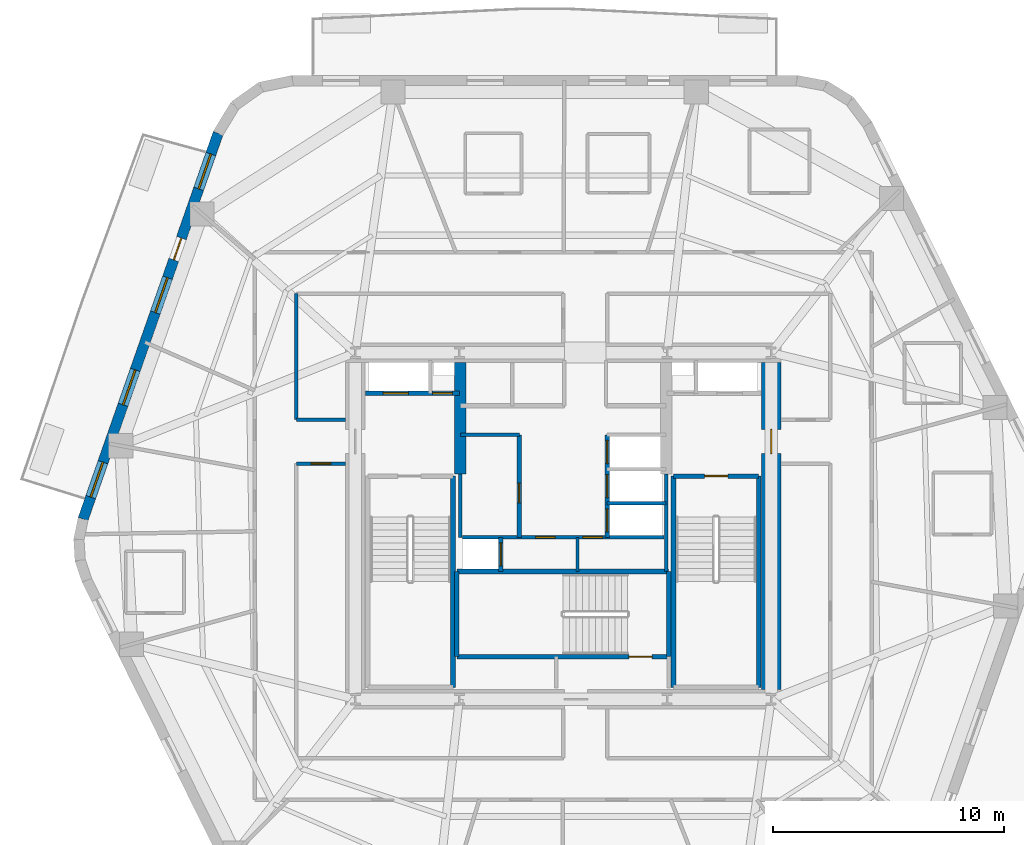
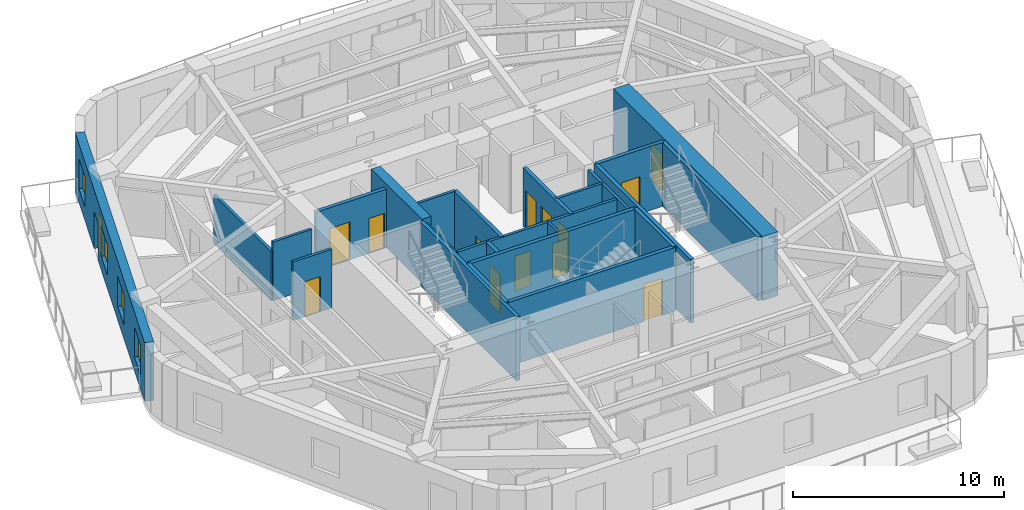
# One storey, part 4 of 11: 24 walls, 14 doors, 4 windows, 18 openings.
"""IFC4 building model written with IfcOpenShell, lengths in metres."""

from ifc_helpers import new_model, si_unit, direction, frame, frame_2d, origin, place, context, subcontext, project, spatial, rectangle, extrude, material, layer, layer_set, type_object, element, fill, save


model = new_model("IFC4")

# Units and contexts
model_context = context("Model", 3, precision=1e-05, world=origin(), true_north=direction((0.0, 1.0)))
body_context = subcontext(model_context, "Body", "Model", "MODEL_VIEW")
ifc_project = project(units=[si_unit("LENGTHUNIT", "METRE"), si_unit("AREAUNIT", "SQUARE_METRE"), si_unit("VOLUMEUNIT", "CUBIC_METRE"), si_unit("PLANEANGLEUNIT", "RADIAN"), si_unit("MASSUNIT", "GRAM", prefix="KILO")], contexts=[model_context])

# Site, building, storey
site_placement = place(None, origin())
site = spatial("IfcSite", under=ifc_project, at=site_placement, CompositionType="ELEMENT")
building_placement = place(site_placement, origin())
building = spatial("IfcBuilding", under=site, at=building_placement, Name="Kilnhurst Terrace Hotel", CompositionType="ELEMENT")
storey_placement = place(building_placement, frame((0.0, 0.0, 159.10009765625)))
storey = spatial("IfcBuildingStorey", under=building, at=storey_placement, Name="L39", CompositionType="ELEMENT", Elevation=159.10009765625)

# Wall, openings, door, windows
ifc_material_1 = material(Name="Precast concrete C40/50", Category="concrete")
ifc_layer_1 = layer(ifc_material_1, 0.449951171875, Name="Precast concrete C40/50")
ifc_layer_set_1 = layer_set([ifc_layer_1], Name="Precast concrete C40/50")
wall_type_1 = type_object("IfcWallType", Name="WL-BRK-450", PredefinedType="SOLIDWALL", material=ifc_layer_set_1)
wall_1_placement = place(storey_placement, frame((-14.936767578125, 16.993408203125, 0.0), z_axis=(0.0, 0.0, 1.0), x_axis=(-0.330431575061, -0.943829949834, 0.0)))
wall_1 = element("IfcWall", 1, at=wall_1_placement, inside=storey, type_object=wall_type_1, Name="L39 Exterior Brick Facade Wall F5", PredefinedType="SOLIDWALL", context=body_context, shape_type="SweptSolid", body=[
    extrude(rectangle(XDim=17.68896484375, YDim=0.449951171875, at=frame_2d((8.844482421875, 0.0))), origin(), (0.0, 0.0, 1.0), 3.39990234375),
])
opening_1_placement = place(wall_1_placement, frame((4.806884765625, 0.0, 0.0)))
opening_1 = element("IfcOpeningElement", 2, at=opening_1_placement, cuts=wall_1, Name="Opening BD-1000", PredefinedType="OPENING", context=body_context, shape_type="SweptSolid", body=[
    extrude(rectangle(XDim=1.0, YDim=2.14990234375, at=frame_2d((0.5, 1.074951171875))), frame((0.0, 0.23486328125, 0.0), z_axis=(0.0, -1.0, 0.0), x_axis=(1.0, 0.0, 0.0)), (0.0, 0.0, 1.0), 0.469970703125),
])
opening_2_placement = place(wall_1_placement, frame((0.949951171875, 0.0, 0.800048828125)))
opening_2 = element("IfcOpeningElement", 3, at=opening_2_placement, cuts=wall_1, Name="Opening W-05", PredefinedType="OPENING", context=body_context, shape_type="SweptSolid", body=[
    extrude(rectangle(XDim=1.60009765625, YDim=1.75, at=frame_2d((0.800048828125, 0.875))), frame((0.0, 0.23486328125, 0.0), z_axis=(0.0, -1.0, 0.0), x_axis=(1.0, 0.0, 0.0)), (0.0, 0.0, 1.0), 0.469970703125),
])
opening_3_placement = place(wall_1_placement, frame((6.623046875, 0.0, 0.800048828125)))
opening_3 = element("IfcOpeningElement", 4, at=opening_3_placement, cuts=wall_1, Name="Opening W-05", PredefinedType="OPENING", context=body_context, shape_type="SweptSolid", body=[
    extrude(rectangle(XDim=1.60009765625, YDim=1.75, at=frame_2d((0.800048828125, 0.875))), frame((0.0, 0.23486328125, 0.0), z_axis=(0.0, -1.0, 0.0), x_axis=(1.0, 0.0, 0.0)), (0.0, 0.0, 1.0), 0.469970703125),
])
opening_4_placement = place(wall_1_placement, frame((10.84912109375, 0.0, 0.800048828125)))
opening_4 = element("IfcOpeningElement", 5, at=opening_4_placement, cuts=wall_1, Name="Opening W-05", PredefinedType="OPENING", context=body_context, shape_type="SweptSolid", body=[
    extrude(rectangle(XDim=1.60009765625, YDim=1.75, at=frame_2d((0.800048828125, 0.875))), frame((0.0, 0.23486328125, 0.0), z_axis=(0.0, -1.0, 0.0), x_axis=(1.0, 0.0, 0.0)), (0.0, 0.0, 1.0), 0.469970703125),
])
opening_5_placement = place(wall_1_placement, frame((15.083984375, 0.0, 0.800048828125)))
opening_5 = element("IfcOpeningElement", 6, at=opening_5_placement, cuts=wall_1, Name="Opening W-05", PredefinedType="OPENING", context=body_context, shape_type="SweptSolid", body=[
    extrude(rectangle(XDim=1.60009765625, YDim=1.75, at=frame_2d((0.800048828125, 0.875))), frame((0.0, 0.23486328125, 0.0), z_axis=(0.0, -1.0, 0.0), x_axis=(1.0, 0.0, 0.0)), (0.0, 0.0, 1.0), 0.469970703125),
])
ifc_material_2 = material(Name="Thermally Broken Bronze Aluminium Alloy 6063-T6 and Laminated Glass", Category="aluminium")
door_type_1 = type_object("IfcDoorType", Name="DR-EXT-BAL-1000", OperationType="NOTDEFINED", PredefinedType="DOOR", material=ifc_material_2)
door_1_placement = place(opening_1_placement, origin())
door_1 = element("IfcDoor", 7, at=door_1_placement, inside=storey, type_object=door_type_1, Name="L39 Planted Balcony Door BAL-L2B", OperationType="SINGLE_SWING_LEFT", OverallHeight=2.14990234375, OverallWidth=1.0, PredefinedType="DOOR", context=body_context, shape_type="SweptSolid", body=[
    extrude(rectangle(XDim=1.0, YDim=2.14990234375, at=frame_2d((0.5, 1.074951171875))), frame((0.0, 0.02490234375, 0.0), z_axis=(0.0, -1.0, 0.0), x_axis=(1.0, 0.0, 0.0)), (0.0, 0.0, 1.0), 0.050048828125),
])
fill(opening_1, door_1)
ifc_material_3 = material(Name="Thermally Broken Bronze Aluminium Alloy 6063-T6 and Low-E Glass", Category="aluminium")
window_type = type_object("IfcWindowType", Name="WIN-1600X1750", PartitioningType="SINGLE_PANEL", PredefinedType="WINDOW", material=ifc_material_3)
window_1_placement = place(opening_2_placement, origin())
window_1 = element("IfcWindow", 8, at=window_1_placement, inside=storey, type_object=window_type, Name="L39 Deep-Set Masonry Window F5.1", OverallHeight=1.75, OverallWidth=1.60009765625, PartitioningType="SINGLE_PANEL", PredefinedType="WINDOW", context=body_context, shape_type="SweptSolid", body=[
    extrude(rectangle(XDim=1.60009765625, YDim=1.75, at=frame_2d((0.800048828125, 0.875))), frame((0.0, 0.030029296875, 0.0), z_axis=(0.0, -1.0, 0.0), x_axis=(1.0, 0.0, 0.0)), (0.0, 0.0, 1.0), 0.06005859375),
])
fill(opening_2, window_1)
window_2_placement = place(opening_3_placement, origin())
window_2 = element("IfcWindow", 9, at=window_2_placement, inside=storey, type_object=window_type, Name="L39 Deep-Set Masonry Window F5.2", OverallHeight=1.75, OverallWidth=1.60009765625, PartitioningType="SINGLE_PANEL", PredefinedType="WINDOW", context=body_context, shape_type="SweptSolid", body=[
    extrude(rectangle(XDim=1.60009765625, YDim=1.75, at=frame_2d((0.800048828125, 0.875))), frame((0.0, 0.030029296875, 0.0), z_axis=(0.0, -1.0, 0.0), x_axis=(1.0, 0.0, 0.0)), (0.0, 0.0, 1.0), 0.06005859375),
])
fill(opening_3, window_2)
window_3_placement = place(opening_4_placement, origin())
window_3 = element("IfcWindow", 10, at=window_3_placement, inside=storey, type_object=window_type, Name="L39 Deep-Set Masonry Window F5.3", OverallHeight=1.75, OverallWidth=1.60009765625, PartitioningType="SINGLE_PANEL", PredefinedType="WINDOW", context=body_context, shape_type="SweptSolid", body=[
    extrude(rectangle(XDim=1.60009765625, YDim=1.75, at=frame_2d((0.800048828125, 0.875))), frame((0.0, 0.030029296875, 0.0), z_axis=(0.0, -1.0, 0.0), x_axis=(1.0, 0.0, 0.0)), (0.0, 0.0, 1.0), 0.06005859375),
])
fill(opening_4, window_3)
window_4_placement = place(opening_5_placement, origin())
window_4 = element("IfcWindow", 11, at=window_4_placement, inside=storey, type_object=window_type, Name="L39 Deep-Set Masonry Window F5.4", OverallHeight=1.75, OverallWidth=1.60009765625, PartitioningType="SINGLE_PANEL", PredefinedType="WINDOW", context=body_context, shape_type="SweptSolid", body=[
    extrude(rectangle(XDim=1.60009765625, YDim=1.75, at=frame_2d((0.800048828125, 0.875))), frame((0.0, 0.030029296875, 0.0), z_axis=(0.0, -1.0, 0.0), x_axis=(1.0, 0.0, 0.0)), (0.0, 0.0, 1.0), 0.06005859375),
])
fill(opening_5, window_4)

# Walls
ifc_material_4 = material(Name="Acoustic Double-Gypsum Corridor Partition Assembly")
ifc_layer_2 = layer(ifc_material_4, 0.14990234375, Name="Acoustic Double-Gypsum Corridor Partition Assembly")
ifc_layer_set_2 = layer_set([ifc_layer_2], Name="Acoustic Double-Gypsum Corridor Partition Assembly")
wall_type_2 = type_object("IfcWallType", Name="WL-COR-150", PredefinedType="PARTITIONING", material=ifc_layer_set_2)
wall_2_placement = place(storey_placement, frame((-11.550048828125, 10.050048828125, 0.0), z_axis=(0.0, 0.0, 1.0), x_axis=(0.0, -1.0, 0.0)))
element("IfcWall", 12, at=wall_2_placement, inside=storey, type_object=wall_type_2, Name="L39 Interior Wall WL-L39-COR-13", PredefinedType="PARTITIONING", context=body_context, shape_type="SweptSolid", body=[
    extrude(rectangle(XDim=5.449951171875, YDim=0.14990234375, at=frame_2d((2.72509765625, 0.0))), origin(), (0.0, 0.0, 1.0), 2.83984375),
])
wall_3_placement = place(storey_placement, frame((-11.550048828125, 4.60009765625, 0.0), z_axis=(0.0, 0.0, 1.0), x_axis=(1.0, 0.0, 0.0)))
element("IfcWall", 13, at=wall_3_placement, inside=storey, type_object=wall_type_2, Name="L39 Interior Wall WL-L39-COR-14", PredefinedType="PARTITIONING", context=body_context, shape_type="SweptSolid", body=[
    extrude(rectangle(XDim=2.125, YDim=0.14990234375, at=frame_2d((1.0625, 0.0))), origin(), (0.0, 0.0, 1.0), 3.39990234375),
])

# Wall, opening, door
wall_4_placement = place(storey_placement, frame((-9.425048828125, 2.699951171875, 0.0), z_axis=(0.0, 0.0, 1.0), x_axis=(-1.0, 0.0, 0.0)))
wall_4 = element("IfcWall", 14, at=wall_4_placement, inside=storey, type_object=wall_type_2, Name="L39 Interior Wall WL-L39-COR-15", PredefinedType="PARTITIONING", context=body_context, shape_type="SweptSolid", body=[
    extrude(rectangle(XDim=2.125, YDim=0.14990234375, at=frame_2d((1.0625, 0.0))), origin(), (0.0, 0.0, 1.0), 3.39990234375),
])
opening_6_placement = place(wall_4_placement, frame((0.636962890625, 0.0, 0.0)))
opening_6 = element("IfcOpeningElement", 15, at=opening_6_placement, cuts=wall_4, Name="Opening D-60D", PredefinedType="OPENING", context=body_context, shape_type="SweptSolid", body=[
    extrude(rectangle(XDim=0.85009765625, YDim=2.030029296875, at=frame_2d((0.425048828125, 1.01513671875))), frame((0.0, 0.0849609375, 0.0), z_axis=(0.0, -1.0, 0.0), x_axis=(1.0, 0.0, 0.0)), (0.0, 0.0, 1.0), 0.169921875),
])
ifc_material_5 = material(Name="Painted Hollow Metal Steel ASTM A36 Riser Door", Category="steel")
door_type_2 = type_object("IfcDoorType", Name="DR-FD60-850", OperationType="NOTDEFINED", PredefinedType="DOOR", material=ifc_material_5)
door_2_placement = place(opening_6_placement, origin())
door_2 = element("IfcDoor", 16, at=door_2_placement, inside=storey, type_object=door_type_2, Name="L39 Floor Linen Storage Room Door", OperationType="SINGLE_SWING_LEFT", OverallHeight=2.030029296875, OverallWidth=0.85009765625, PredefinedType="DOOR", context=body_context, shape_type="SweptSolid", body=[
    extrude(rectangle(XDim=0.85009765625, YDim=2.030029296875, at=frame_2d((0.425048828125, 1.01513671875))), frame((0.0, 0.02490234375, 0.0), z_axis=(0.0, -1.0, 0.0), x_axis=(1.0, 0.0, 0.0)), (0.0, 0.0, 1.0), 0.050048828125),
])
fill(opening_6, door_2)

ifc_material_6 = material(Name="Concrete C80/95", Category="concrete")
ifc_layer_3 = layer(ifc_material_6, 0.85009765625, Name="Concrete C80/95")
ifc_layer_set_3 = layer_set([ifc_layer_3], Name="Concrete C80/95")
wall_type_3 = type_object("IfcWallType", Name="WL-CORE-850", PredefinedType="SHEAR", material=ifc_layer_set_3)
wall_5_placement = place(storey_placement, frame((9.0, -7.074951171875, 0.0), z_axis=(0.0, 0.0, 1.0), x_axis=(0.0, 1.0, 0.0)))
wall_5 = element("IfcWall", 17, at=wall_5_placement, inside=storey, type_object=wall_type_3, Name="L39 Core East Shear Wall", PredefinedType="SHEAR", context=body_context, shape_type="SweptSolid", body=[
    extrude(rectangle(XDim=14.14990234375, YDim=0.85009765625, at=frame_2d((7.074951171875, 0.0))), origin(), (0.0, 0.0, 1.0), 3.699951171875),
])
opening_7_placement = place(wall_5_placement, frame((10.199951171875, 0.0, 0.0)))
opening_7 = element("IfcOpeningElement", 18, at=opening_7_placement, cuts=wall_5, Name="Opening D-90A", PredefinedType="OPENING", context=body_context, shape_type="SweptSolid", body=[
    extrude(rectangle(XDim=1.050048828125, YDim=2.14990234375, at=frame_2d((0.52490234375, 1.074951171875))), frame((0.0, 0.43505859375, 0.0), z_axis=(0.0, -1.0, 0.0), x_axis=(1.0, 0.0, 0.0)), (0.0, 0.0, 1.0), 0.8701171875),
])
ifc_material_7 = material(Name="Painted Hollow Metal Steel ASTM A36 Fire Door", Category="steel")
door_type_3 = type_object("IfcDoorType", Name="DR-FD90-1050", OperationType="NOTDEFINED", PredefinedType="DOOR", material=ifc_material_7)
door_3_placement = place(opening_7_placement, origin())
door_3 = element("IfcDoor", 19, at=door_3_placement, inside=storey, type_object=door_type_3, Name="L39 East Firefighting Lobby Door", OperationType="SINGLE_SWING_LEFT", OverallHeight=2.14990234375, OverallWidth=1.050048828125, PredefinedType="DOOR", context=body_context, shape_type="SweptSolid", body=[
    extrude(rectangle(XDim=1.050048828125, YDim=2.14990234375, at=frame_2d((0.52490234375, 1.074951171875))), frame((0.0, 0.02490234375, 0.0), z_axis=(0.0, -1.0, 0.0), x_axis=(1.0, 0.0, 0.0)), (0.0, 0.0, 1.0), 0.050048828125),
])
fill(opening_7, door_3)

# Walls
ifc_material_8 = material(Name="Concrete C60/75", Category="concrete")
ifc_layer_4 = layer(ifc_material_8, 0.5, Name="Concrete C60/75")
ifc_layer_set_4 = layer_set([ifc_layer_4], Name="Concrete C60/75")
wall_type_4 = type_object("IfcWallType", Name="WL-CORE-WEB-500", PredefinedType="SHEAR", material=ifc_layer_set_4)
wall_6_placement = place(storey_placement, frame((-4.449951171875, 2.25, 0.0), z_axis=(0.0, 0.0, 1.0), x_axis=(0.0, 1.0, 0.0)))
element("IfcWall", 20, at=wall_6_placement, inside=storey, type_object=wall_type_4, Name="L39 Core Internal West Shear Web", PredefinedType="SHEAR", context=body_context, shape_type="SweptSolid", body=[
    extrude(rectangle(XDim=4.824951171875, YDim=0.5, at=frame_2d((2.41259765625, 0.0))), origin(), (0.0, 0.0, 1.0), 3.699951171875),
])
ifc_material_9 = material(Name="120 mm Moisture-Resistant Tile-Backed Bathroom Partition")
ifc_layer_5 = layer(ifc_material_9, 0.1201171875, Name="120 mm Moisture-Resistant Tile-Backed Bathroom Partition")
ifc_layer_set_5 = layer_set([ifc_layer_5], Name="120 mm Moisture-Resistant Tile-Backed Bathroom Partition")
wall_type_5 = type_object("IfcWallType", Name="WL-PART-120", PredefinedType="PARTITIONING", material=ifc_layer_set_5)
wall_7_placement = place(storey_placement, frame((0.6201171875, -1.971923828125, 0.0), z_axis=(0.0, 0.0, 1.0), x_axis=(0.0, 1.0, 0.0)))
element("IfcWall", 21, at=wall_7_placement, inside=storey, type_object=wall_type_5, Name="L39 Interior Wall WL-L39-BOH-C1", PredefinedType="PARTITIONING", context=body_context, shape_type="SweptSolid", body=[
    extrude(rectangle(XDim=1.471923828125, YDim=0.1201171875, at=frame_2d((0.73583984375, 0.0))), origin(), (0.0, 0.0, 1.0), 3.39990234375),
])
ifc_material_10 = material(Name="Fire-Rated Gypsum Shaftliner Assembly")
ifc_layer_6 = layer(ifc_material_10, 0.14990234375, Name="Fire-Rated Gypsum Shaftliner Assembly")
ifc_layer_set_6 = layer_set([ifc_layer_6], Name="Fire-Rated Gypsum Shaftliner Assembly")
wall_type_6 = type_object("IfcWallType", Name="WL-SHAFT-150", PredefinedType="PARTITIONING", material=ifc_layer_set_6)
wall_8_placement = place(storey_placement, frame((-4.449951171875, -0.5, 0.0), z_axis=(0.0, 0.0, 1.0), x_axis=(0.0, 1.0, 0.0)))
element("IfcWall", 22, at=wall_8_placement, inside=storey, type_object=wall_type_6, Name="L39 Interior Wall WL-L39-XLOB-W", PredefinedType="PARTITIONING", context=body_context, shape_type="SweptSolid", body=[
    extrude(rectangle(XDim=2.75, YDim=0.14990234375, at=frame_2d((1.375, 0.0))), origin(), (0.0, 0.0, 1.0), 3.39990234375),
])
wall_9_placement = place(storey_placement, frame((4.449951171875, -1.971923828125, 0.0), z_axis=(0.0, 0.0, 1.0), x_axis=(0.0, 1.0, 0.0)))
element("IfcWall", 23, at=wall_9_placement, inside=storey, type_object=wall_type_6, Name="L39 Interior Wall WL-L39-XLOB-E", PredefinedType="PARTITIONING", context=body_context, shape_type="SweptSolid", body=[
    extrude(rectangle(XDim=4.221923828125, YDim=0.14990234375, at=frame_2d((2.11083984375, 0.0))), origin(), (0.0, 0.0, 1.0), 3.39990234375),
])
for number, where, z_axis, x_axis, name in (
    (24, (-4.449951171875, 3.93994140625, 0.0), (0.0, 0.0, 1.0), (1.0, 0.0, 0.0), "L39 Interior Wall WL-L39-LR-NORTH"),
    (25, (1.89990234375, 0.97998046875, 0.0), (0.0, 0.0, 1.0), (1.0, 0.0, 0.0), "L39 Interior Wall WL-L39-MR-D1"),
):
    element("IfcWall", number, at=place(storey_placement, frame(where, z_axis=z_axis, x_axis=x_axis)), inside=storey, type_object=wall_type_6, Name=name, PredefinedType="PARTITIONING", context=body_context, shape_type="SweptSolid", body=[
        extrude(rectangle(XDim=2.550048828125, YDim=0.14990234375, at=frame_2d((1.27490234375, 0.0))), origin(), (0.0, 0.0, 1.0), 3.39990234375),
    ])

# Wall, openings, doors
wall_10_placement = place(storey_placement, frame((-4.360107421875, -0.489990234375, 0.0), z_axis=(0.0, 0.0, 1.0), x_axis=(1.0, 0.0, 0.0)))
wall_10 = element("IfcWall", 26, at=wall_10_placement, inside=storey, type_object=wall_type_6, Name="L39 Interior Wall WL-L39-BOH-N", PredefinedType="PARTITIONING", context=body_context, shape_type="SweptSolid", body=[
    extrude(rectangle(XDim=8.72021484375, YDim=0.14990234375, at=frame_2d((4.360107421875, 0.0))), origin(), (0.0, 0.0, 1.0), 3.39990234375),
])
opening_8_placement = place(wall_10_placement, frame((3.159912109375, 0.0, 0.0)))
opening_8 = element("IfcOpeningElement", 27, at=opening_8_placement, cuts=wall_10, Name="Opening D-60D", PredefinedType="OPENING", context=body_context, shape_type="SweptSolid", body=[
    extrude(rectangle(XDim=0.85009765625, YDim=2.030029296875, at=frame_2d((0.425048828125, 1.01513671875))), frame((0.0, 0.0849609375, 0.0), z_axis=(0.0, -1.0, 0.0), x_axis=(1.0, 0.0, 0.0)), (0.0, 0.0, 1.0), 0.169921875),
])
opening_9_placement = place(wall_10_placement, frame((5.2099609375, 0.0, 0.0)))
opening_9 = element("IfcOpeningElement", 28, at=opening_9_placement, cuts=wall_10, Name="Opening D-60D", PredefinedType="OPENING", context=body_context, shape_type="SweptSolid", body=[
    extrude(rectangle(XDim=0.85009765625, YDim=2.030029296875, at=frame_2d((0.425048828125, 1.01513671875))), frame((0.0, 0.0849609375, 0.0), z_axis=(0.0, -1.0, 0.0), x_axis=(1.0, 0.0, 0.0)), (0.0, 0.0, 1.0), 0.169921875),
])
door_4_placement = place(opening_8_placement, origin())
door_4 = element("IfcDoor", 29, at=door_4_placement, inside=storey, type_object=door_type_2, Name="L39 Housekeeping Laundry Door", OperationType="SINGLE_SWING_LEFT", OverallHeight=2.030029296875, OverallWidth=0.85009765625, PredefinedType="DOOR", context=body_context, shape_type="SweptSolid", body=[
    extrude(rectangle(XDim=0.85009765625, YDim=2.030029296875, at=frame_2d((0.425048828125, 1.01513671875))), frame((0.0, 0.02490234375, 0.0), z_axis=(0.0, -1.0, 0.0), x_axis=(1.0, 0.0, 0.0)), (0.0, 0.0, 1.0), 0.050048828125),
])
fill(opening_8, door_4)
door_5_placement = place(opening_9_placement, origin())
door_5 = element("IfcDoor", 30, at=door_5_placement, inside=storey, type_object=door_type_2, Name="L39 Room Service Kitchen Door", OperationType="SINGLE_SWING_RIGHT", OverallHeight=2.030029296875, OverallWidth=0.85009765625, PredefinedType="DOOR", context=body_context, shape_type="SweptSolid", body=[
    extrude(rectangle(XDim=0.85009765625, YDim=2.030029296875, at=frame_2d((0.425048828125, 1.01513671875))), frame((0.0, 0.02490234375, 0.0), z_axis=(0.0, -1.0, 0.0), x_axis=(1.0, 0.0, 0.0)), (0.0, 0.0, 1.0), 0.050048828125),
])
fill(opening_9, door_5)

ifc_material_11 = material(Name="Autoclaved Aerated Concrete C30/37 and Gypsum Shaft Assembly", Category="concrete")
ifc_layer_7 = layer(ifc_material_11, 0.199951171875, Name="Autoclaved Aerated Concrete C30/37 and Gypsum Shaft Assembly")
ifc_layer_set_7 = layer_set([ifc_layer_7], Name="Autoclaved Aerated Concrete C30/37 and Gypsum Shaft Assembly")
wall_type_7 = type_object("IfcWallType", Name="WL-SHAFT-200", PredefinedType="PARTITIONING", material=ifc_layer_set_7)
wall_11_placement = place(storey_placement, frame((-8.550048828125, 5.739990234375, 0.0), z_axis=(0.0, 0.0, 1.0), x_axis=(1.0, 0.0, 0.0)))
wall_11 = element("IfcWall", 31, at=wall_11_placement, inside=storey, type_object=wall_type_7, Name="L39 Interior Wall WL-L39-FSAE1-S", PredefinedType="PARTITIONING", context=body_context, shape_type="SweptSolid", body=[
    extrude(rectangle(XDim=4.050048828125, YDim=0.199951171875, at=frame_2d((2.02490234375, 0.0))), origin(), (0.0, 0.0, 1.0), 3.39990234375),
])
opening_10_placement = place(wall_11_placement, frame((0.75, 0.0, 0.0)))
opening_10 = element("IfcOpeningElement", 32, at=opening_10_placement, cuts=wall_11, Name="Opening LD-F1", PredefinedType="OPENING", context=body_context, shape_type="SweptSolid", body=[
    extrude(rectangle(XDim=1.10009765625, YDim=2.199951171875, at=frame_2d((0.550048828125, 1.10009765625))), frame((0.0, 0.10986328125, 0.0), z_axis=(0.0, -1.0, 0.0), x_axis=(1.0, 0.0, 0.0)), (0.0, 0.0, 1.0), 0.219970703125),
])
opening_11_placement = place(wall_11_placement, frame((2.89990234375, 0.0, 0.0)))
opening_11 = element("IfcOpeningElement", 33, at=opening_11_placement, cuts=wall_11, Name="Opening D-60D", PredefinedType="OPENING", context=body_context, shape_type="SweptSolid", body=[
    extrude(rectangle(XDim=0.85009765625, YDim=2.030029296875, at=frame_2d((0.425048828125, 1.01513671875))), frame((0.0, 0.10986328125, 0.0), z_axis=(0.0, -1.0, 0.0), x_axis=(1.0, 0.0, 0.0)), (0.0, 0.0, 1.0), 0.219970703125),
])
door_6_placement = place(opening_11_placement, origin())
door_6 = element("IfcDoor", 34, at=door_6_placement, inside=storey, type_object=door_type_2, Name="L39 Electrical Riser Door", OperationType="SINGLE_SWING_LEFT", OverallHeight=2.030029296875, OverallWidth=0.85009765625, PredefinedType="DOOR", context=body_context, shape_type="SweptSolid", body=[
    extrude(rectangle(XDim=0.85009765625, YDim=2.030029296875, at=frame_2d((0.425048828125, 1.01513671875))), frame((0.0, 0.02490234375, 0.0), z_axis=(0.0, -1.0, 0.0), x_axis=(1.0, 0.0, 0.0)), (0.0, 0.0, 1.0), 0.050048828125),
])
fill(opening_11, door_6)
ifc_material_12 = material(Name="Bronze-Anodized Stainless Steel AISI 316L Sliding Door", Category="steel")
door_type_4 = type_object("IfcDoorType", Name="DR-LIFT-1100", OperationType="NOTDEFINED", PredefinedType="DOOR", material=ifc_material_12)
door_7_placement = place(opening_10_placement, origin())
door_7 = element("IfcDoor", 35, at=door_7_placement, inside=storey, type_object=door_type_4, Name="L39 FSAE-1 Landing Door", OperationType="SLIDING_TO_LEFT", OverallHeight=2.199951171875, OverallWidth=1.10009765625, PredefinedType="DOOR", context=body_context, shape_type="SweptSolid", body=[
    extrude(rectangle(XDim=1.10009765625, YDim=2.199951171875, at=frame_2d((0.550048828125, 1.10009765625))), frame((0.0, 0.02490234375, 0.0), z_axis=(0.0, -1.0, 0.0), x_axis=(1.0, 0.0, 0.0)), (0.0, 0.0, 1.0), 0.050048828125),
])
fill(opening_10, door_7)

# Wall, opening, door
wall_12_placement = place(storey_placement, frame((-2.699951171875, -1.971923828125, 0.0), z_axis=(0.0, 0.0, 1.0), x_axis=(0.0, 1.0, 0.0)))
wall_12 = element("IfcWall", 36, at=wall_12_placement, inside=storey, type_object=wall_type_7, Name="L39 Interior Wall WL-L39-SRV1-E", PredefinedType="PARTITIONING", context=body_context, shape_type="SweptSolid", body=[
    extrude(rectangle(XDim=1.471923828125, YDim=0.199951171875, at=frame_2d((0.73583984375, 0.0))), origin(), (0.0, 0.0, 1.0), 3.39990234375),
])
opening_12_placement = place(wall_12_placement, frame((0.239990234375, 0.0, 0.0)))
opening_12 = element("IfcOpeningElement", 37, at=opening_12_placement, cuts=wall_12, Name="Opening LD-SV", PredefinedType="OPENING", context=body_context, shape_type="SweptSolid", body=[
    extrude(rectangle(XDim=1.0, YDim=2.199951171875, at=frame_2d((0.5, 1.10009765625))), frame((0.0, 0.10986328125, 0.0), z_axis=(0.0, -1.0, 0.0), x_axis=(1.0, 0.0, 0.0)), (0.0, 0.0, 1.0), 0.219970703125),
])
door_type_5 = type_object("IfcDoorType", Name="DR-LIFT-1000", OperationType="NOTDEFINED", PredefinedType="DOOR", material=ifc_material_12)
door_8_placement = place(opening_12_placement, origin())
door_8 = element("IfcDoor", 38, at=door_8_placement, inside=storey, type_object=door_type_5, Name="L39 Service Lift SRV-1 Landing Door", OperationType="SLIDING_TO_LEFT", OverallHeight=2.199951171875, OverallWidth=1.0, PredefinedType="DOOR", context=body_context, shape_type="SweptSolid", body=[
    extrude(rectangle(XDim=1.0, YDim=2.199951171875, at=frame_2d((0.5, 1.10009765625))), frame((0.0, 0.02490234375, 0.0), z_axis=(0.0, -1.0, 0.0), x_axis=(1.0, 0.0, 0.0)), (0.0, 0.0, 1.0), 0.050048828125),
])
fill(opening_12, door_8)

wall_13_placement = place(storey_placement, frame((-1.89990234375, -0.5, 0.0), z_axis=(0.0, 0.0, 1.0), x_axis=(0.0, 1.0, 0.0)))
wall_13 = element("IfcWall", 39, at=wall_13_placement, inside=storey, type_object=wall_type_7, Name="L39 Interior Wall WL-L39-LR-FRONT", PredefinedType="PARTITIONING", context=body_context, shape_type="SweptSolid", body=[
    extrude(rectangle(XDim=4.43994140625, YDim=0.199951171875, at=frame_2d((2.219970703125, 0.0))), origin(), (0.0, 0.0, 1.0), 3.39990234375),
])
opening_13_placement = place(wall_13_placement, frame((1.5, 0.0, 0.0)))
opening_13 = element("IfcOpeningElement", 40, at=opening_13_placement, cuts=wall_13, Name="Opening D-60D", PredefinedType="OPENING", context=body_context, shape_type="SweptSolid", body=[
    extrude(rectangle(XDim=0.85009765625, YDim=2.030029296875, at=frame_2d((0.425048828125, 1.01513671875))), frame((0.0, 0.10986328125, 0.0), z_axis=(0.0, -1.0, 0.0), x_axis=(1.0, 0.0, 0.0)), (0.0, 0.0, 1.0), 0.219970703125),
])
door_9_placement = place(opening_13_placement, origin())
door_9 = element("IfcDoor", 41, at=door_9_placement, inside=storey, type_object=door_type_2, Name="L39 Reclaimed Linen Room Door", OperationType="SINGLE_SWING_LEFT", OverallHeight=2.030029296875, OverallWidth=0.85009765625, PredefinedType="DOOR", context=body_context, shape_type="SweptSolid", body=[
    extrude(rectangle(XDim=0.85009765625, YDim=2.030029296875, at=frame_2d((0.425048828125, 1.01513671875))), frame((0.0, 0.02490234375, 0.0), z_axis=(0.0, -1.0, 0.0), x_axis=(1.0, 0.0, 0.0)), (0.0, 0.0, 1.0), 0.050048828125),
])
fill(opening_13, door_9)

# Wall, openings, doors
wall_14_placement = place(storey_placement, frame((1.89990234375, -0.5, 0.0), z_axis=(0.0, 0.0, 1.0), x_axis=(0.0, 1.0, 0.0)))
wall_14 = element("IfcWall", 42, at=wall_14_placement, inside=storey, type_object=wall_type_7, Name="L39 Interior Wall WL-L39-MR-FRONT", PredefinedType="PARTITIONING", context=body_context, shape_type="SweptSolid", body=[
    extrude(rectangle(XDim=4.43994140625, YDim=0.199951171875, at=frame_2d((2.219970703125, 0.0))), origin(), (0.0, 0.0, 1.0), 3.39990234375),
])
opening_14_placement = place(wall_14_placement, frame((0.239990234375, 0.0, 0.0)))
opening_14 = element("IfcOpeningElement", 43, at=opening_14_placement, cuts=wall_14, Name="Opening LD-MR", PredefinedType="OPENING", context=body_context, shape_type="SweptSolid", body=[
    extrude(rectangle(XDim=1.0, YDim=2.199951171875, at=frame_2d((0.5, 1.10009765625))), frame((0.0, 0.10986328125, 0.0), z_axis=(0.0, -1.0, 0.0), x_axis=(1.0, 0.0, 0.0)), (0.0, 0.0, 1.0), 0.219970703125),
])
opening_15_placement = place(wall_14_placement, frame((1.719970703125, 0.0, 0.0)))
opening_15 = element("IfcOpeningElement", 44, at=opening_15_placement, cuts=wall_14, Name="Opening LD-MR", PredefinedType="OPENING", context=body_context, shape_type="SweptSolid", body=[
    extrude(rectangle(XDim=1.0, YDim=2.199951171875, at=frame_2d((0.5, 1.10009765625))), frame((0.0, 0.10986328125, 0.0), z_axis=(0.0, -1.0, 0.0), x_axis=(1.0, 0.0, 0.0)), (0.0, 0.0, 1.0), 0.219970703125),
])
opening_16_placement = place(wall_14_placement, frame((3.199951171875, 0.0, 0.0)))
opening_16 = element("IfcOpeningElement", 45, at=opening_16_placement, cuts=wall_14, Name="Opening LD-MR", PredefinedType="OPENING", context=body_context, shape_type="SweptSolid", body=[
    extrude(rectangle(XDim=1.0, YDim=2.199951171875, at=frame_2d((0.5, 1.10009765625))), frame((0.0, 0.10986328125, 0.0), z_axis=(0.0, -1.0, 0.0), x_axis=(1.0, 0.0, 0.0)), (0.0, 0.0, 1.0), 0.219970703125),
])
door_10_placement = place(opening_14_placement, origin())
door_10 = element("IfcDoor", 46, at=door_10_placement, inside=storey, type_object=door_type_5, Name="L39 Mid Rise Lift MR-1 Landing Door", OperationType="SLIDING_TO_RIGHT", OverallHeight=2.199951171875, OverallWidth=1.0, PredefinedType="DOOR", context=body_context, shape_type="SweptSolid", body=[
    extrude(rectangle(XDim=1.0, YDim=2.199951171875, at=frame_2d((0.5, 1.10009765625))), frame((0.0, 0.02490234375, 0.0), z_axis=(0.0, -1.0, 0.0), x_axis=(1.0, 0.0, 0.0)), (0.0, 0.0, 1.0), 0.050048828125),
])
fill(opening_14, door_10)
door_11_placement = place(opening_15_placement, origin())
door_11 = element("IfcDoor", 47, at=door_11_placement, inside=storey, type_object=door_type_5, Name="L39 Mid Rise Lift MR-2 Landing Door", OperationType="SLIDING_TO_RIGHT", OverallHeight=2.199951171875, OverallWidth=1.0, PredefinedType="DOOR", context=body_context, shape_type="SweptSolid", body=[
    extrude(rectangle(XDim=1.0, YDim=2.199951171875, at=frame_2d((0.5, 1.10009765625))), frame((0.0, 0.02490234375, 0.0), z_axis=(0.0, -1.0, 0.0), x_axis=(1.0, 0.0, 0.0)), (0.0, 0.0, 1.0), 0.050048828125),
])
fill(opening_15, door_11)
door_12_placement = place(opening_16_placement, origin())
door_12 = element("IfcDoor", 48, at=door_12_placement, inside=storey, type_object=door_type_5, Name="L39 Mid Rise Lift MR-3 Landing Door", OperationType="SLIDING_TO_RIGHT", OverallHeight=2.199951171875, OverallWidth=1.0, PredefinedType="DOOR", context=body_context, shape_type="SweptSolid", body=[
    extrude(rectangle(XDim=1.0, YDim=2.199951171875, at=frame_2d((0.5, 1.10009765625))), frame((0.0, 0.02490234375, 0.0), z_axis=(0.0, -1.0, 0.0), x_axis=(1.0, 0.0, 0.0)), (0.0, 0.0, 1.0), 0.050048828125),
])
fill(opening_16, door_12)

# Walls
ifc_material_13 = material(Name="Concrete C50/60", Category="concrete")
ifc_layer_8 = layer(ifc_material_13, 0.199951171875, Name="Concrete C50/60")
ifc_layer_set_8 = layer_set([ifc_layer_8], Name="Concrete C50/60")
wall_type_8 = type_object("IfcWallType", Name="WL-STAIR-RC-200", PredefinedType="SHEAR", material=ifc_layer_set_8)
for number, where, z_axis, x_axis, name in (
    (49, (-4.77197265625, -6.985107421875, 0.0), (0.0, 0.0, 1.0), (0.0, 1.0, 0.0), "L39 Structural Stair Shaft Wall WL-L39-ST1-E"),
    (50, (4.77197265625, -6.985107421875, 0.0), (0.0, 0.0, 1.0), (0.0, 1.0, 0.0), "L39 Structural Stair Shaft Wall WL-L39-ST2-W"),
    (51, (8.4580078125, -6.985107421875, 0.0), (0.0, 0.0, 1.0), (0.0, 1.0, 0.0), "L39 Structural Stair Shaft Wall WL-L39-ST2-E"),
):
    element("IfcWall", number, at=place(storey_placement, frame(where, z_axis=z_axis, x_axis=x_axis)), inside=storey, type_object=wall_type_8, Name=name, PredefinedType="SHEAR", context=body_context, shape_type="SweptSolid", body=[
        extrude(rectangle(XDim=9.14306640625, YDim=0.199951171875, at=frame_2d((4.571533203125, 0.0))), origin(), (0.0, 0.0, 1.0), 3.699951171875),
    ])

# Wall, opening, door
wall_15_placement = place(storey_placement, frame((4.77197265625, 2.157958984375, 0.0), z_axis=(0.0, 0.0, 1.0), x_axis=(1.0, 0.0, 0.0)))
wall_15 = element("IfcWall", 52, at=wall_15_placement, inside=storey, type_object=wall_type_8, Name="L39 Structural Stair Shaft Wall WL-L39-ST2-N", PredefinedType="SHEAR", context=body_context, shape_type="SweptSolid", body=[
    extrude(rectangle(XDim=3.68603515625, YDim=0.199951171875, at=frame_2d((1.843017578125, 0.0))), origin(), (0.0, 0.0, 1.0), 3.699951171875),
])
opening_17_placement = place(wall_15_placement, frame((1.35009765625, 0.0, 0.0)))
opening_17 = element("IfcOpeningElement", 53, at=opening_17_placement, cuts=wall_15, Name="Opening D-90B", PredefinedType="OPENING", context=body_context, shape_type="SweptSolid", body=[
    extrude(rectangle(XDim=1.0, YDim=2.14990234375, at=frame_2d((0.5, 1.074951171875))), frame((0.0, 0.10986328125, 0.0), z_axis=(0.0, -1.0, 0.0), x_axis=(1.0, 0.0, 0.0)), (0.0, 0.0, 1.0), 0.219970703125),
])
door_type_6 = type_object("IfcDoorType", Name="DR-FD90-1000", OperationType="NOTDEFINED", PredefinedType="DOOR", material=ifc_material_7)
door_13_placement = place(opening_17_placement, origin())
door_13 = element("IfcDoor", 54, at=door_13_placement, inside=storey, type_object=door_type_6, Name="L39 Stair ST-2 Door", OperationType="SINGLE_SWING_RIGHT", OverallHeight=2.14990234375, OverallWidth=1.0, PredefinedType="DOOR", context=body_context, shape_type="SweptSolid", body=[
    extrude(rectangle(XDim=1.0, YDim=2.14990234375, at=frame_2d((0.5, 1.074951171875))), frame((0.0, 0.02490234375, 0.0), z_axis=(0.0, -1.0, 0.0), x_axis=(1.0, 0.0, 0.0)), (0.0, 0.0, 1.0), 0.050048828125),
])
fill(opening_17, door_13)

# Wall
wall_16_placement = place(storey_placement, frame((-4.60791015625, -5.657958984375, 0.0), z_axis=(0.0, 0.0, 1.0), x_axis=(0.0, 1.0, 0.0)))
element("IfcWall", 55, at=wall_16_placement, inside=storey, type_object=wall_type_8, Name="L39 Structural Stair Shaft Wall WL-L39-ST3-W", PredefinedType="SHEAR", context=body_context, shape_type="SweptSolid", body=[
    extrude(rectangle(XDim=3.68603515625, YDim=0.199951171875, at=frame_2d((1.843017578125, 0.0))), origin(), (0.0, 0.0, 1.0), 3.699951171875),
])

# Wall, opening, door
wall_17_placement = place(storey_placement, frame((-4.60791015625, -5.657958984375, 0.0), z_axis=(0.0, 0.0, 1.0), x_axis=(1.0, 0.0, 0.0)))
wall_17 = element("IfcWall", 56, at=wall_17_placement, inside=storey, type_object=wall_type_8, Name="L39 Structural Stair Shaft Wall WL-L39-ST3-S", PredefinedType="SHEAR", context=body_context, shape_type="SweptSolid", body=[
    extrude(rectangle(XDim=9.166015625, YDim=0.199951171875, at=frame_2d((4.5830078125, 0.0))), origin(), (0.0, 0.0, 1.0), 3.699951171875),
])
opening_18_placement = place(wall_17_placement, frame((7.449951171875, 0.0, 0.0)))
opening_18 = element("IfcOpeningElement", 57, at=opening_18_placement, cuts=wall_17, Name="Opening D-90B", PredefinedType="OPENING", context=body_context, shape_type="SweptSolid", body=[
    extrude(rectangle(XDim=1.0, YDim=2.14990234375, at=frame_2d((0.5, 1.074951171875))), frame((0.0, 0.10986328125, 0.0), z_axis=(0.0, -1.0, 0.0), x_axis=(1.0, 0.0, 0.0)), (0.0, 0.0, 1.0), 0.219970703125),
])
door_14_placement = place(opening_18_placement, origin())
door_14 = element("IfcDoor", 58, at=door_14_placement, inside=storey, type_object=door_type_6, Name="L39 Stair ST-3 Shaft Door", OperationType="SINGLE_SWING_LEFT", OverallHeight=2.14990234375, OverallWidth=1.0, PredefinedType="DOOR", context=body_context, shape_type="SweptSolid", body=[
    extrude(rectangle(XDim=1.0, YDim=2.14990234375, at=frame_2d((0.5, 1.074951171875))), frame((0.0, 0.02490234375, 0.0), z_axis=(0.0, -1.0, 0.0), x_axis=(1.0, 0.0, 0.0)), (0.0, 0.0, 1.0), 0.050048828125),
])
fill(opening_18, door_14)

# Walls
wall_18_placement = place(storey_placement, frame((-4.60791015625, -1.971923828125, 0.0), z_axis=(0.0, 0.0, 1.0), x_axis=(1.0, 0.0, 0.0)))
element("IfcWall", 59, at=wall_18_placement, inside=storey, type_object=wall_type_8, Name="L39 Structural Stair Shaft Wall WL-L39-ST3-N", PredefinedType="SHEAR", context=body_context, shape_type="SweptSolid", body=[
    extrude(rectangle(XDim=9.166015625, YDim=0.199951171875, at=frame_2d((4.5830078125, 0.0))), origin(), (0.0, 0.0, 1.0), 3.699951171875),
])
wall_19_placement = place(storey_placement, frame((4.55810546875, -5.657958984375, 0.0), z_axis=(0.0, 0.0, 1.0), x_axis=(0.0, 1.0, 0.0)))
element("IfcWall", 60, at=wall_19_placement, inside=storey, type_object=wall_type_8, Name="L39 Structural Stair Shaft Wall WL-L39-ST3-E", PredefinedType="SHEAR", context=body_context, shape_type="SweptSolid", body=[
    extrude(rectangle(XDim=3.68603515625, YDim=0.199951171875, at=frame_2d((1.843017578125, 0.0))), origin(), (0.0, 0.0, 1.0), 3.699951171875),
])

save(model, "model.ifc")
